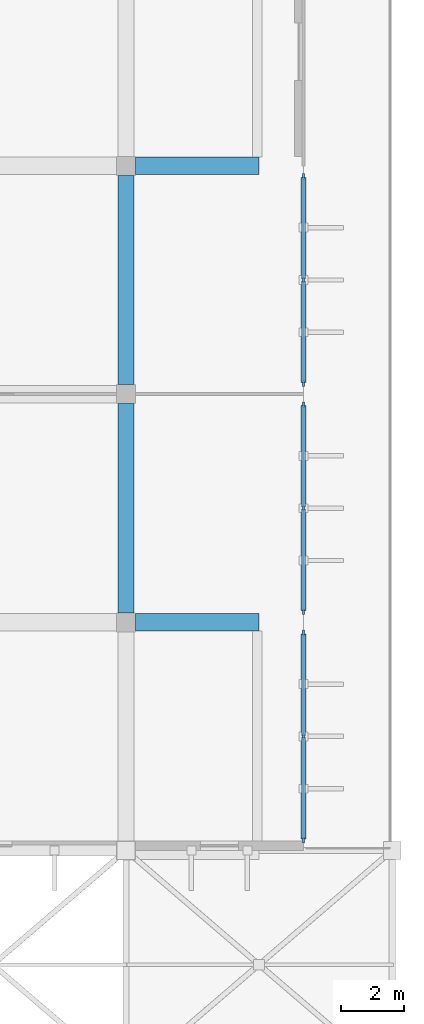
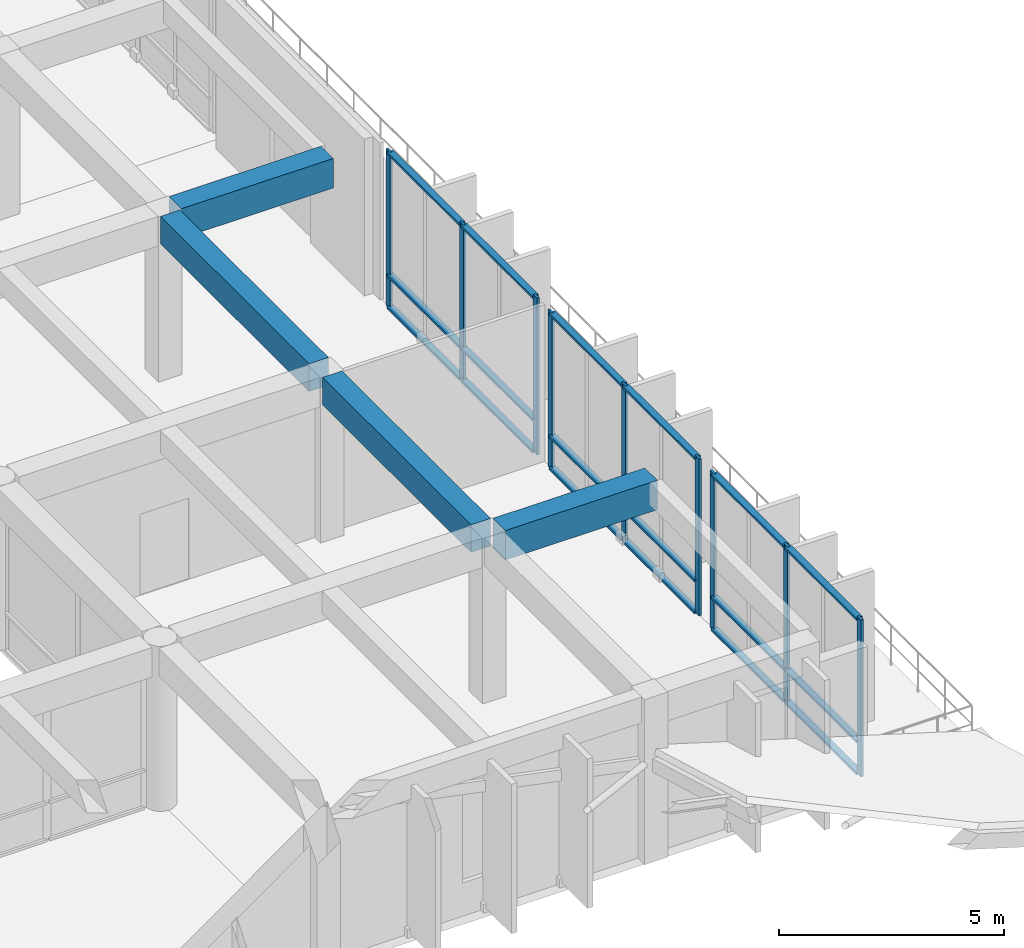
# One storey, part 9 of 23: 27 members, 4 beams, 3 elements without a shape of their own.
"""IFC4 building model written with IfcOpenShell, lengths in metres."""

from ifc_helpers import new_model, si_unit, direction, frame, origin, origin_2d, place, context, subcontext, project, spatial, rectangle, extrude, material, material_profile, profile_set, type_object, element, aggregate, save


model = new_model("IFC4")

# Units and contexts
model_context = context("Model", 3, precision=1e-05, world=origin(), true_north=direction((0.0, 1.0)))
body_context = subcontext(model_context, "Body", "Model", "MODEL_VIEW")
ifc_project = project(units=[si_unit("LENGTHUNIT", "METRE"), si_unit("AREAUNIT", "SQUARE_METRE"), si_unit("VOLUMEUNIT", "CUBIC_METRE"), si_unit("PLANEANGLEUNIT", "RADIAN"), si_unit("MASSUNIT", "GRAM", prefix="KILO")], contexts=[model_context])

# Site, building, storey
site_placement = place(None, origin())
site = spatial("IfcSite", under=ifc_project, at=site_placement, CompositionType="ELEMENT")
building_placement = place(site_placement, origin())
building = spatial("IfcBuilding", under=site, at=building_placement, Name="Kenerak Square Central Library", CompositionType="ELEMENT")
storey_placement = place(building_placement, frame((0.0, 0.0, 18.8798828125)))
storey = spatial("IfcBuildingStorey", under=building, at=storey_placement, Name="L04", CompositionType="ELEMENT", Elevation=18.8798828125)

# Curtain wall, members
ifc_material_1 = material(Name="Anodised aluminium and solar-control low-E glazing", Category="aluminium")
curtain_wall_type = type_object("IfcCurtainWallType", Name="Curtain Wall CW-V4-66x42 6600x4255", PredefinedType="USERDEFINED", material=ifc_material_1)
curtain_wall_1_placement = place(storey_placement, origin())
curtain_wall_1 = element("IfcCurtainWall", 1, at=curtain_wall_1_placement, inside=storey, type_object=curtain_wall_type, Name="Curtain Wall CW-V4-66x42 L04 0148", ObjectType="CURTAIN WALL", PredefinedType="USERDEFINED")
ifc_material_2 = material(Name="Anodised aluminium 6063-T6", Category="aluminium")
ifc_material_profile_1 = material_profile(ifc_material_2, rectangle(XDim=0.06494140625, YDim=0.179931640625, at=origin_2d()), Name="AL MULLION 65x180")
ifc_profile_set_1 = profile_set([ifc_material_profile_1], Name="Anodised aluminium 6063-T6")
member_type_1 = type_object("IfcMemberType", Name="Curtain Mullion CM-01 65x180", PredefinedType="MULLION", material=ifc_profile_set_1)
member_1_placement = place(storey_placement, frame((114.39990234375, 74.0673828125, 0.0), z_axis=(0.0, 0.0, 1.0), x_axis=(1.0, 0.0, 0.0)))
member_1 = element("IfcMember", 2, at=member_1_placement, type_object=member_type_1, Name="CW-V4-66x42 Mullion 1", PredefinedType="MULLION", context=body_context, shape_type="SweptSolid", body=[
    extrude(rectangle(XDim=0.06494140625, YDim=0.179931640625, at=origin_2d()), origin(), (0.0, 0.0, 1.0), 4.255126953125),
])
member_2_placement = place(storey_placement, frame((114.39990234375, 70.800048828125, 0.0), z_axis=(0.0, 0.0, 1.0), x_axis=(1.0, 0.0, 0.0)))
member_2 = element("IfcMember", 3, at=member_2_placement, type_object=member_type_1, Name="CW-V4-66x42 Mullion 2", PredefinedType="MULLION", context=body_context, shape_type="SweptSolid", body=[
    extrude(rectangle(XDim=0.06494140625, YDim=0.179931640625, at=origin_2d()), origin(), (0.0, 0.0, 1.0), 4.255126953125),
])
member_3_placement = place(storey_placement, frame((114.39990234375, 67.532470703125, 0.0), z_axis=(0.0, 0.0, 1.0), x_axis=(1.0, 0.0, 0.0)))
member_3 = element("IfcMember", 4, at=member_3_placement, type_object=member_type_1, Name="CW-V4-66x42 Mullion 3", PredefinedType="MULLION", context=body_context, shape_type="SweptSolid", body=[
    extrude(rectangle(XDim=0.06494140625, YDim=0.179931640625, at=origin_2d()), origin(), (0.0, 0.0, 1.0), 4.255126953125),
])

curtain_wall_2_placement = place(storey_placement, origin())
curtain_wall_2 = element("IfcCurtainWall", 5, at=curtain_wall_2_placement, inside=storey, type_object=curtain_wall_type, Name="Curtain Wall CW-V4-66x42 L04 0149", ObjectType="CURTAIN WALL", PredefinedType="USERDEFINED")
member_4_placement = place(storey_placement, frame((114.39990234375, 66.867431640625, 0.0), z_axis=(0.0, 0.0, 1.0), x_axis=(1.0, 0.0, 0.0)))
member_4 = element("IfcMember", 6, at=member_4_placement, type_object=member_type_1, Name="CW-V4-66x42 Mullion 1", PredefinedType="MULLION", context=body_context, shape_type="SweptSolid", body=[
    extrude(rectangle(XDim=0.06494140625, YDim=0.179931640625, at=origin_2d()), origin(), (0.0, 0.0, 1.0), 4.255126953125),
])
member_5_placement = place(storey_placement, frame((114.39990234375, 63.60009765625, 0.0), z_axis=(0.0, 0.0, 1.0), x_axis=(1.0, 0.0, 0.0)))
member_5 = element("IfcMember", 7, at=member_5_placement, type_object=member_type_1, Name="CW-V4-66x42 Mullion 2", PredefinedType="MULLION", context=body_context, shape_type="SweptSolid", body=[
    extrude(rectangle(XDim=0.06494140625, YDim=0.179931640625, at=origin_2d()), origin(), (0.0, 0.0, 1.0), 4.255126953125),
])
member_6_placement = place(storey_placement, frame((114.39990234375, 60.33251953125, 0.0), z_axis=(0.0, 0.0, 1.0), x_axis=(1.0, 0.0, 0.0)))
member_6 = element("IfcMember", 8, at=member_6_placement, type_object=member_type_1, Name="CW-V4-66x42 Mullion 3", PredefinedType="MULLION", context=body_context, shape_type="SweptSolid", body=[
    extrude(rectangle(XDim=0.06494140625, YDim=0.179931640625, at=origin_2d()), origin(), (0.0, 0.0, 1.0), 4.255126953125),
])

curtain_wall_3_placement = place(storey_placement, origin())
curtain_wall_3 = element("IfcCurtainWall", 9, at=curtain_wall_3_placement, inside=storey, type_object=curtain_wall_type, Name="Curtain Wall CW-V4-66x42 L04 0150", ObjectType="CURTAIN WALL", PredefinedType="USERDEFINED")
member_7_placement = place(storey_placement, frame((114.39990234375, 59.66748046875, 0.0), z_axis=(0.0, 0.0, 1.0), x_axis=(1.0, 0.0, 0.0)))
member_7 = element("IfcMember", 10, at=member_7_placement, type_object=member_type_1, Name="CW-V4-66x42 Mullion 1", PredefinedType="MULLION", context=body_context, shape_type="SweptSolid", body=[
    extrude(rectangle(XDim=0.06494140625, YDim=0.179931640625, at=origin_2d()), origin(), (0.0, 0.0, 1.0), 4.255126953125),
])
member_8_placement = place(storey_placement, frame((114.39990234375, 56.39990234375, 0.0), z_axis=(0.0, 0.0, 1.0), x_axis=(1.0, 0.0, 0.0)))
member_8 = element("IfcMember", 11, at=member_8_placement, type_object=member_type_1, Name="CW-V4-66x42 Mullion 2", PredefinedType="MULLION", context=body_context, shape_type="SweptSolid", body=[
    extrude(rectangle(XDim=0.06494140625, YDim=0.179931640625, at=origin_2d()), origin(), (0.0, 0.0, 1.0), 4.255126953125),
])
member_9_placement = place(storey_placement, frame((114.39990234375, 53.132568359375, 0.0), z_axis=(0.0, 0.0, 1.0), x_axis=(1.0, 0.0, 0.0)))
member_9 = element("IfcMember", 12, at=member_9_placement, type_object=member_type_1, Name="CW-V4-66x42 Mullion 3", PredefinedType="MULLION", context=body_context, shape_type="SweptSolid", body=[
    extrude(rectangle(XDim=0.06494140625, YDim=0.179931640625, at=origin_2d()), origin(), (0.0, 0.0, 1.0), 4.255126953125),
])

# Member
ifc_material_profile_2 = material_profile(ifc_material_2, rectangle(XDim=0.159912109375, YDim=0.06494140625, at=origin_2d()), Name="AL TRANSOM 160x65")
ifc_profile_set_2 = profile_set([ifc_material_profile_2], Name="Anodised aluminium 6063-T6")
member_type_2 = type_object("IfcMemberType", Name="Curtain Transom CT-11 160x65", PredefinedType="USERDEFINED", material=ifc_profile_set_2)
member_10_placement = place(storey_placement, frame((114.39990234375, 74.034912109375, 0.03271484375), z_axis=(0.0, -1.0, 0.0), x_axis=(1.0, 0.0, 0.0)))
member_10 = element("IfcMember", 13, at=member_10_placement, type_object=member_type_2, Name="CW-V4-66x42 Transom 1.1", ObjectType="TRANSOM", PredefinedType="USERDEFINED", context=body_context, shape_type="SweptSolid", body=[
    extrude(rectangle(XDim=0.159912109375, YDim=0.06494140625, at=origin_2d()), origin(), (0.0, 0.0, 1.0), 3.202392578125),
])

member_11_placement = place(storey_placement, frame((114.39990234375, 74.034912109375, 0.900146484375), z_axis=(0.0, -1.0, 0.0), x_axis=(1.0, 0.0, 0.0)))
member_11 = element("IfcMember", 14, at=member_11_placement, type_object=member_type_2, Name="CW-V4-66x42 Transom 1.2", ObjectType="TRANSOM", PredefinedType="USERDEFINED", context=body_context, shape_type="SweptSolid", body=[
    extrude(rectangle(XDim=0.159912109375, YDim=0.06494140625, at=origin_2d()), origin(), (0.0, 0.0, 1.0), 3.202392578125),
])

member_12_placement = place(storey_placement, frame((114.39990234375, 74.034912109375, 4.22265625), z_axis=(0.0, -1.0, 0.0), x_axis=(1.0, 0.0, 0.0)))
member_12 = element("IfcMember", 15, at=member_12_placement, type_object=member_type_2, Name="CW-V4-66x42 Transom 1.3", ObjectType="TRANSOM", PredefinedType="USERDEFINED", context=body_context, shape_type="SweptSolid", body=[
    extrude(rectangle(XDim=0.159912109375, YDim=0.06494140625, at=origin_2d()), origin(), (0.0, 0.0, 1.0), 3.202392578125),
])

member_13_placement = place(storey_placement, frame((114.39990234375, 70.767578125, 0.03271484375), z_axis=(0.0, -1.0, 0.0), x_axis=(1.0, 0.0, 0.0)))
member_13 = element("IfcMember", 16, at=member_13_placement, type_object=member_type_2, Name="CW-V4-66x42 Transom 2.1", ObjectType="TRANSOM", PredefinedType="USERDEFINED", context=body_context, shape_type="SweptSolid", body=[
    extrude(rectangle(XDim=0.159912109375, YDim=0.06494140625, at=origin_2d()), origin(), (0.0, 0.0, 1.0), 3.20263671875),
])

member_14_placement = place(storey_placement, frame((114.39990234375, 70.767578125, 0.900146484375), z_axis=(0.0, -1.0, 0.0), x_axis=(1.0, 0.0, 0.0)))
member_14 = element("IfcMember", 17, at=member_14_placement, type_object=member_type_2, Name="CW-V4-66x42 Transom 2.2", ObjectType="TRANSOM", PredefinedType="USERDEFINED", context=body_context, shape_type="SweptSolid", body=[
    extrude(rectangle(XDim=0.159912109375, YDim=0.06494140625, at=origin_2d()), origin(), (0.0, 0.0, 1.0), 3.20263671875),
])

member_15_placement = place(storey_placement, frame((114.39990234375, 70.767578125, 4.22265625), z_axis=(0.0, -1.0, 0.0), x_axis=(1.0, 0.0, 0.0)))
member_15 = element("IfcMember", 18, at=member_15_placement, type_object=member_type_2, Name="CW-V4-66x42 Transom 2.3", ObjectType="TRANSOM", PredefinedType="USERDEFINED", context=body_context, shape_type="SweptSolid", body=[
    extrude(rectangle(XDim=0.159912109375, YDim=0.06494140625, at=origin_2d()), origin(), (0.0, 0.0, 1.0), 3.20263671875),
])

aggregate(curtain_wall_1, [member_1, member_2, member_3, member_10, member_11, member_12, member_13, member_14, member_15])

member_16_placement = place(storey_placement, frame((114.39990234375, 66.8349609375, 0.03271484375), z_axis=(0.0, -1.0, 0.0), x_axis=(1.0, 0.0, 0.0)))
member_16 = element("IfcMember", 19, at=member_16_placement, type_object=member_type_2, Name="CW-V4-66x42 Transom 1.1", ObjectType="TRANSOM", PredefinedType="USERDEFINED", context=body_context, shape_type="SweptSolid", body=[
    extrude(rectangle(XDim=0.159912109375, YDim=0.06494140625, at=origin_2d()), origin(), (0.0, 0.0, 1.0), 3.202392578125),
])

member_17_placement = place(storey_placement, frame((114.39990234375, 66.8349609375, 0.900146484375), z_axis=(0.0, -1.0, 0.0), x_axis=(1.0, 0.0, 0.0)))
member_17 = element("IfcMember", 20, at=member_17_placement, type_object=member_type_2, Name="CW-V4-66x42 Transom 1.2", ObjectType="TRANSOM", PredefinedType="USERDEFINED", context=body_context, shape_type="SweptSolid", body=[
    extrude(rectangle(XDim=0.159912109375, YDim=0.06494140625, at=origin_2d()), origin(), (0.0, 0.0, 1.0), 3.202392578125),
])

member_18_placement = place(storey_placement, frame((114.39990234375, 66.8349609375, 4.22265625), z_axis=(0.0, -1.0, 0.0), x_axis=(1.0, 0.0, 0.0)))
member_18 = element("IfcMember", 21, at=member_18_placement, type_object=member_type_2, Name="CW-V4-66x42 Transom 1.3", ObjectType="TRANSOM", PredefinedType="USERDEFINED", context=body_context, shape_type="SweptSolid", body=[
    extrude(rectangle(XDim=0.159912109375, YDim=0.06494140625, at=origin_2d()), origin(), (0.0, 0.0, 1.0), 3.202392578125),
])

member_19_placement = place(storey_placement, frame((114.39990234375, 63.5673828125, 0.03271484375), z_axis=(0.0, -1.0, 0.0), x_axis=(1.0, 0.0, 0.0)))
member_19 = element("IfcMember", 22, at=member_19_placement, type_object=member_type_2, Name="CW-V4-66x42 Transom 2.1", ObjectType="TRANSOM", PredefinedType="USERDEFINED", context=body_context, shape_type="SweptSolid", body=[
    extrude(rectangle(XDim=0.159912109375, YDim=0.06494140625, at=origin_2d()), origin(), (0.0, 0.0, 1.0), 3.202392578125),
])

member_20_placement = place(storey_placement, frame((114.39990234375, 63.5673828125, 0.900146484375), z_axis=(0.0, -1.0, 0.0), x_axis=(1.0, 0.0, 0.0)))
member_20 = element("IfcMember", 23, at=member_20_placement, type_object=member_type_2, Name="CW-V4-66x42 Transom 2.2", ObjectType="TRANSOM", PredefinedType="USERDEFINED", context=body_context, shape_type="SweptSolid", body=[
    extrude(rectangle(XDim=0.159912109375, YDim=0.06494140625, at=origin_2d()), origin(), (0.0, 0.0, 1.0), 3.202392578125),
])

member_21_placement = place(storey_placement, frame((114.39990234375, 63.5673828125, 4.22265625), z_axis=(0.0, -1.0, 0.0), x_axis=(1.0, 0.0, 0.0)))
member_21 = element("IfcMember", 24, at=member_21_placement, type_object=member_type_2, Name="CW-V4-66x42 Transom 2.3", ObjectType="TRANSOM", PredefinedType="USERDEFINED", context=body_context, shape_type="SweptSolid", body=[
    extrude(rectangle(XDim=0.159912109375, YDim=0.06494140625, at=origin_2d()), origin(), (0.0, 0.0, 1.0), 3.202392578125),
])

aggregate(curtain_wall_2, [member_4, member_5, member_6, member_16, member_17, member_18, member_19, member_20, member_21])

member_22_placement = place(storey_placement, frame((114.39990234375, 59.635009765625, 0.03271484375), z_axis=(0.0, -1.0, 0.0), x_axis=(1.0, 0.0, 0.0)))
member_22 = element("IfcMember", 25, at=member_22_placement, type_object=member_type_2, Name="CW-V4-66x42 Transom 1.1", ObjectType="TRANSOM", PredefinedType="USERDEFINED", context=body_context, shape_type="SweptSolid", body=[
    extrude(rectangle(XDim=0.159912109375, YDim=0.06494140625, at=origin_2d()), origin(), (0.0, 0.0, 1.0), 3.202392578125),
])

member_23_placement = place(storey_placement, frame((114.39990234375, 59.635009765625, 0.900146484375), z_axis=(0.0, -1.0, 0.0), x_axis=(1.0, 0.0, 0.0)))
member_23 = element("IfcMember", 26, at=member_23_placement, type_object=member_type_2, Name="CW-V4-66x42 Transom 1.2", ObjectType="TRANSOM", PredefinedType="USERDEFINED", context=body_context, shape_type="SweptSolid", body=[
    extrude(rectangle(XDim=0.159912109375, YDim=0.06494140625, at=origin_2d()), origin(), (0.0, 0.0, 1.0), 3.202392578125),
])

member_24_placement = place(storey_placement, frame((114.39990234375, 59.635009765625, 4.22265625), z_axis=(0.0, -1.0, 0.0), x_axis=(1.0, 0.0, 0.0)))
member_24 = element("IfcMember", 27, at=member_24_placement, type_object=member_type_2, Name="CW-V4-66x42 Transom 1.3", ObjectType="TRANSOM", PredefinedType="USERDEFINED", context=body_context, shape_type="SweptSolid", body=[
    extrude(rectangle(XDim=0.159912109375, YDim=0.06494140625, at=origin_2d()), origin(), (0.0, 0.0, 1.0), 3.202392578125),
])

member_25_placement = place(storey_placement, frame((114.39990234375, 56.367431640625, 0.03271484375), z_axis=(0.0, -1.0, 0.0), x_axis=(1.0, 0.0, 0.0)))
member_25 = element("IfcMember", 28, at=member_25_placement, type_object=member_type_2, Name="CW-V4-66x42 Transom 2.1", ObjectType="TRANSOM", PredefinedType="USERDEFINED", context=body_context, shape_type="SweptSolid", body=[
    extrude(rectangle(XDim=0.159912109375, YDim=0.06494140625, at=origin_2d()), origin(), (0.0, 0.0, 1.0), 3.202392578125),
])

member_26_placement = place(storey_placement, frame((114.39990234375, 56.367431640625, 0.900146484375), z_axis=(0.0, -1.0, 0.0), x_axis=(1.0, 0.0, 0.0)))
member_26 = element("IfcMember", 29, at=member_26_placement, type_object=member_type_2, Name="CW-V4-66x42 Transom 2.2", ObjectType="TRANSOM", PredefinedType="USERDEFINED", context=body_context, shape_type="SweptSolid", body=[
    extrude(rectangle(XDim=0.159912109375, YDim=0.06494140625, at=origin_2d()), origin(), (0.0, 0.0, 1.0), 3.202392578125),
])

member_27_placement = place(storey_placement, frame((114.39990234375, 56.367431640625, 4.22265625), z_axis=(0.0, -1.0, 0.0), x_axis=(1.0, 0.0, 0.0)))
member_27 = element("IfcMember", 30, at=member_27_placement, type_object=member_type_2, Name="CW-V4-66x42 Transom 2.3", ObjectType="TRANSOM", PredefinedType="USERDEFINED", context=body_context, shape_type="SweptSolid", body=[
    extrude(rectangle(XDim=0.159912109375, YDim=0.06494140625, at=origin_2d()), origin(), (0.0, 0.0, 1.0), 3.202392578125),
])

aggregate(curtain_wall_3, [member_7, member_8, member_9, member_22, member_23, member_24, member_25, member_26, member_27])

# Beams
ifc_material_3 = material(Name="Concrete C40/50", Category="concrete")
ifc_material_profile_3 = material_profile(ifc_material_3, rectangle(XDim=0.550048828125, YDim=0.800048828125, at=origin_2d()), Name="RC 550x800")
ifc_profile_set_3 = profile_set([ifc_material_profile_3], Name="Concrete C40/50")
beam_type_1 = type_object("IfcBeamType", Name="Primary Reading Beam B-04 RC 550x800 C40/50", PredefinedType="BEAM", material=ifc_profile_set_3)
for number, where, z_axis, x_axis, name in (
    (31, (109.10009765625, 60.0, 4.080078125), (1.0, 0.0, 0.0), (0.0, 1.0, 0.0), "Terrace Cantilever Bracket B-04 L04 SBE-J"),
    (32, (109.10009765625, 74.39990234375, 4.080078125), (1.0, 0.0, 0.0), (0.0, 1.0, 0.0), "Terrace Cantilever Bracket B-04 L04 SBE-L"),
):
    element("IfcBeam", number, at=place(storey_placement, frame(where, z_axis=z_axis, x_axis=x_axis)), inside=storey, type_object=beam_type_1, Name=name, PredefinedType="BEAM", context=body_context, shape_type="SweptSolid", body=[
        extrude(rectangle(XDim=0.550048828125, YDim=0.800048828125, at=origin_2d()), origin(), (0.0, 0.0, 1.0), 3.89990234375),
    ])
ifc_material_profile_4 = material_profile(ifc_material_3, rectangle(XDim=0.5, YDim=0.75, at=origin_2d()), Name="RC 500x750")
ifc_profile_set_4 = profile_set([ifc_material_profile_4], Name="Concrete C40/50")
beam_type_2 = type_object("IfcBeamType", Name="Transverse Frame Beam B-05 RC 500x750 C40/50", PredefinedType="BEAM", material=ifc_profile_set_4)
beam_1_placement = place(storey_placement, frame((108.800048828125, 60.300048828125, 4.105224609375), z_axis=(0.0, 1.0, 0.0), x_axis=(-1.0, 0.0, 0.0)))
element("IfcBeam", 33, at=beam_1_placement, inside=storey, type_object=beam_type_2, Name="Beam B-05 L04 1609", PredefinedType="BEAM", context=body_context, shape_type="SweptSolid", body=[
    extrude(rectangle(XDim=0.5, YDim=0.75, at=origin_2d()), origin(), (0.0, 0.0, 1.0), 6.599853515625),
])
beam_2_placement = place(storey_placement, frame((108.800048828125, 67.5, 4.105224609375), z_axis=(0.0, 1.0, 0.0), x_axis=(-1.0, 0.0, 0.0)))
element("IfcBeam", 34, at=beam_2_placement, inside=storey, type_object=beam_type_2, Name="Beam B-05 L04 1610", PredefinedType="BEAM", context=body_context, shape_type="SweptSolid", body=[
    extrude(rectangle(XDim=0.5, YDim=0.75, at=origin_2d()), origin(), (0.0, 0.0, 1.0), 6.60009765625),
])

save(model, "model.ifc")
